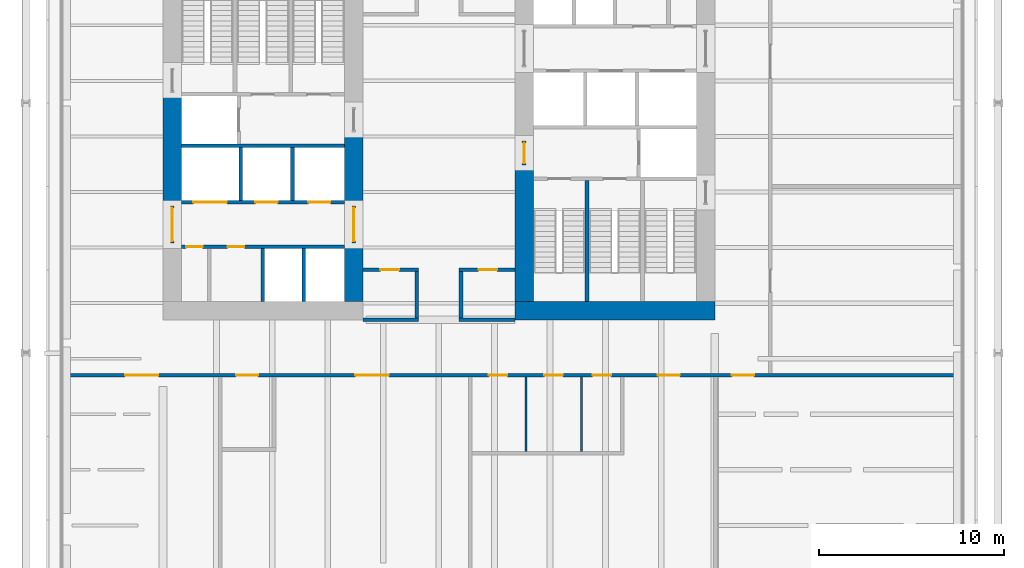
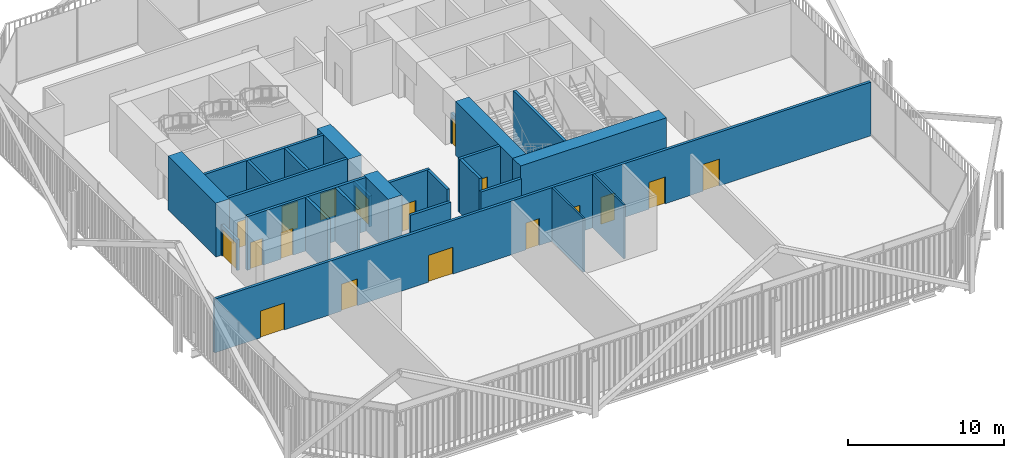
# One storey, part 17 of 21: 25 walls, 18 doors, 18 openings.
"""IFC4 building model written with IfcOpenShell, lengths in metres."""

import ifcopenshell
import ifcopenshell.guid

model = None  # the IFC model being written
_history = None  # IfcOwnerHistory: only IFC2X3 demands one
_inside = {}  # id of a spatial element -> (the spatial element, [elements in it])
_under = {}  # id of a project, library or spatial element -> (it, [spatial elements below it])
_declared = {}  # id of a project -> (the project, [libraries it declares])
_typed = {}  # id of a type object -> (the type object, [elements of that type])
_made_of = {}  # id of a material, layer set ... -> (it, [elements and type objects made of it])


def new_model(schema):
    """Start an empty IFC model of exactly this schema.

    Asked for "IFC4X3", IfcOpenShell would pick the latest addendum, in which some entities
    have other attributes; the version numbers below select the first issue.
    IFC2X3 requires an IfcOwnerHistory on every rooted entity: one is made here for all.
    """
    global model, _history
    if schema == "IFC4X3":
        model = ifcopenshell.file(schema_version=(4, 3, 0, 0))
    else:
        model = ifcopenshell.file(schema=schema)
    _inside.clear()
    _under.clear()
    _declared.clear()
    _typed.clear()
    _made_of.clear()
    _history = None
    if model.schema == "IFC2X3":
        org = make("IfcOrganization", Name="unknown")
        user = make(
            "IfcPersonAndOrganization",
            ThePerson=make("IfcPerson", FamilyName="unknown"),
            TheOrganization=org,
        )
        app = make(
            "IfcApplication",
            ApplicationDeveloper=org,
            Version="unknown",
            ApplicationFullName="unknown",
            ApplicationIdentifier="unknown",
        )
        _history = make(
            "IfcOwnerHistory",
            OwningUser=user,
            OwningApplication=app,
            ChangeAction="ADDED",
            CreationDate=0,
        )
    return model


def make(cls, **values):
    """One entity of the class cls with the attributes given. An attribute that is None is left unset."""
    return model.create_entity(
        cls, **{name: value for name, value in values.items() if value is not None}
    )


def rooted(cls, **values):
    """An entity with a GlobalId (a new one), such as an element, a storey or a relation."""
    return make(cls, GlobalId=ifcopenshell.guid.new(), OwnerHistory=_history, **values)


def si_unit(unit_type, name, prefix=None):
    """IfcSIUnit, for example si_unit("LENGTHUNIT", "METRE", prefix="MILLI")."""
    return make("IfcSIUnit", UnitType=unit_type, Prefix=prefix, Name=name)


def assignment(units):
    """IfcUnitAssignment: the units of a project."""
    return None if units is None else make("IfcUnitAssignment", Units=units)


def point(xyz):
    """IfcCartesianPoint."""
    return None if xyz is None else make("IfcCartesianPoint", Coordinates=xyz)


def direction(xyz):
    """IfcDirection."""
    return None if xyz is None else make("IfcDirection", DirectionRatios=xyz)


def frame(location, z_axis=None, x_axis=None):
    """IfcAxis2Placement3D, a coordinate frame: its origin and axes. An axis left out is left unset."""
    return make(
        "IfcAxis2Placement3D",
        Location=point(location),
        Axis=direction(z_axis),
        RefDirection=direction(x_axis),
    )


def frame_2d(location, x_axis=None):
    """IfcAxis2Placement2D, a coordinate frame in the plane: its origin and x axis."""
    return make(
        "IfcAxis2Placement2D", Location=point(location), RefDirection=direction(x_axis)
    )


def origin():
    """The frame at (0, 0, 0) with its axes left unset."""
    return frame((0.0, 0.0, 0.0))


def place(relative_to, where):
    """IfcLocalPlacement: puts the frame where relative to a parent placement (None: the world)."""
    return make(
        "IfcLocalPlacement", PlacementRelTo=relative_to, RelativePlacement=where
    )


def context(
    kind, dimensions, precision=None, world=None, true_north=None, identifier=None
):
    """IfcGeometricRepresentationContext, for example the 3D "Model" context."""
    return make(
        "IfcGeometricRepresentationContext",
        ContextIdentifier=identifier,
        ContextType=kind,
        CoordinateSpaceDimension=dimensions,
        Precision=precision,
        WorldCoordinateSystem=world,
        TrueNorth=true_north,
    )


def subcontext(parent, identifier, kind, view, scale=None):
    """IfcGeometricRepresentationSubContext, for example "Body" below "Model"."""
    return make(
        "IfcGeometricRepresentationSubContext",
        ContextIdentifier=identifier,
        ContextType=kind,
        ParentContext=parent,
        TargetScale=scale,
        TargetView=view,
    )


def project(units=None, contexts=None):
    """IfcProject with its units and contexts."""
    return rooted(
        "IfcProject",
        Name="project",
        RepresentationContexts=contexts,
        UnitsInContext=assignment(units),
    )


def spatial(cls, under=None, at=None, **own):
    """A site, building, storey or space (cls), placed at a placement, below another one or the project."""
    s = rooted(cls, ObjectPlacement=at, **own)
    if under is not None:
        _under.setdefault(under.id(), (under, []))[1].append(s)
    return s


def profile(cls, at=None, kind="AREA", **sizes):
    """A parametric profile (cls). Its sizes go by their IFC names, for example OverallWidth=200.0."""
    return make(cls, ProfileType=kind, Position=at, **sizes)


def rectangle(**sizes):
    """IfcRectangleProfileDef."""
    return profile("IfcRectangleProfileDef", **sizes)


def extrude(swept, where, along, depth):
    """IfcExtrudedAreaSolid: the profile swept, set in the frame where, extruded along a direction by depth."""
    return make(
        "IfcExtrudedAreaSolid",
        SweptArea=swept,
        Position=where,
        ExtrudedDirection=direction(along),
        Depth=depth,
    )


def shape(context_of_items, identifier, shape_type, items):
    """IfcShapeRepresentation: the items that make up one representation, for example the "Body"."""
    return make(
        "IfcShapeRepresentation",
        ContextOfItems=context_of_items,
        RepresentationIdentifier=identifier,
        RepresentationType=shape_type,
        Items=items,
    )


def material(Name=None, Category=None):
    """IfcMaterial."""
    return make("IfcMaterial", Name=Name, Category=Category)


def layer(
    of_material, thickness, ventilated=None, Name=None, Category=None, Priority=None
):
    """IfcMaterialLayer: one layer of a wall or slab, of a material (None: an air gap)."""
    return make(
        "IfcMaterialLayer",
        Material=of_material,
        LayerThickness=thickness,
        IsVentilated=ventilated,
        Name=Name,
        Category=Category,
        Priority=Priority,
    )


def layer_set(layers, Name=None):
    """IfcMaterialLayerSet."""
    return make("IfcMaterialLayerSet", MaterialLayers=layers, LayerSetName=Name)


def made_of(thing, what):
    """Note that an element or type object is made of a material, layer set ...; save() writes the relation."""
    if what is not None:
        _made_of.setdefault(what.id(), (what, []))[1].append(thing)
    return thing


def type_object(cls, material=None, **own):
    """A type object (cls), such as IfcWallType, which elements share."""
    return made_of(rooted(cls, **own), material)


def element(
    cls,
    number,
    at=None,
    inside=None,
    cuts=None,
    type_object=None,
    material=None,
    context=None,
    identifier="Body",
    shape_type=None,
    held_by="IfcProductDefinitionShape",
    body=None,
    shapes=None,
    **own,
):
    """One element of the class cls, such as IfcWall. Its Tag is "e" and its number.

    at: its placement. inside: the storey or other place that contains it. cuts: it is an
    opening in that element (IfcRelVoidsElement). A single representation is given by context,
    identifier, shape_type and body (its items); several are given by shapes. held_by: the class
    of the entity that holds the representations. save() writes the other relations.
    """
    e = rooted(cls, Tag="e%d" % number, ObjectPlacement=at, **own)
    if body is not None:
        shapes = [shape(context, identifier, shape_type, body)]
    if shapes is not None:
        e.Representation = make(held_by, Representations=shapes)
    if inside is not None:
        _inside.setdefault(inside.id(), (inside, []))[1].append(e)
    if cuts is not None:
        rooted(
            "IfcRelVoidsElement", RelatingBuildingElement=cuts, RelatedOpeningElement=e
        )
    if type_object is not None:
        _typed.setdefault(type_object.id(), (type_object, []))[1].append(e)
    return made_of(e, material)


def fill(opening, filler):
    """IfcRelFillsElement: the door or window that sits in an opening."""
    return rooted(
        "IfcRelFillsElement",
        RelatingOpeningElement=opening,
        RelatedBuildingElement=filler,
    )


def aggregate(whole, parts):
    """IfcRelAggregates: a whole, such as a stair, and the parts it consists of."""
    return rooted("IfcRelAggregates", RelatingObject=whole, RelatedObjects=parts)


def save(model, path):
    """Write the relations noted so far, then the file.

    IfcRelAggregates (storeys below a building ...), IfcRelContainedInSpatialStructure (elements
    in a storey), IfcRelDefinesByType, IfcRelAssociatesMaterial and IfcRelDeclares: one each for
    every whole, place, type object, material and project.
    """
    for whole, parts in _under.values():
        aggregate(whole, parts)
    for where, things in _inside.values():
        rooted(
            "IfcRelContainedInSpatialStructure",
            RelatedElements=things,
            RelatingStructure=where,
        )
    for kind, things in _typed.values():
        rooted("IfcRelDefinesByType", RelatedObjects=things, RelatingType=kind)
    for what, things in _made_of.values():
        rooted("IfcRelAssociatesMaterial", RelatedObjects=things, RelatingMaterial=what)
    for by, libraries in _declared.values():
        rooted("IfcRelDeclares", RelatingContext=by, RelatedDefinitions=libraries)
    model.write(path)


model = new_model("IFC4")

# Units and contexts
model_context = context("Model", 3, precision=1e-05, world=origin(), true_north=direction((0.0, 1.0)))
body_context = subcontext(model_context, "Body", "Model", "MODEL_VIEW")
ifc_project = project(units=[si_unit("LENGTHUNIT", "METRE"), si_unit("AREAUNIT", "SQUARE_METRE"), si_unit("VOLUMEUNIT", "CUBIC_METRE"), si_unit("PLANEANGLEUNIT", "RADIAN"), si_unit("MASSUNIT", "GRAM", prefix="KILO")], contexts=[model_context])

# Site, building, storey
site_placement = place(None, origin())
site = spatial("IfcSite", under=ifc_project, at=site_placement, CompositionType="ELEMENT")
building_placement = place(site_placement, origin())
building = spatial("IfcBuilding", under=site, at=building_placement, Name="Millrace Tower", CompositionType="ELEMENT")
storey_placement = place(building_placement, frame((0.0, 0.0, 73.199951171875)))
storey = spatial("IfcBuildingStorey", under=building, at=storey_placement, Name="L16", CompositionType="ELEMENT", Elevation=73.199951171875)

# Walls
ifc_material_1 = material(Name="Concrete C80", Category="concrete")
ifc_layer_1 = layer(ifc_material_1, 1.0)
ifc_layer_set_1 = layer_set([ifc_layer_1], Name="Concrete C80")
wall_type_1 = type_object("IfcWallType", Name="Core wall 1000 Concrete C80", PredefinedType="SHEAR", material=ifc_layer_set_1)
wall_1_placement = place(storey_placement, frame((-14.39990234375, -3.75, 0.0), z_axis=(0.0, 0.0, 1.0), x_axis=(0.0, 1.0, 0.0)))
element("IfcWall", 1, at=wall_1_placement, inside=storey, type_object=wall_type_1, Name="Core wall W L16", PredefinedType="SHEAR", context=body_context, shape_type="SweptSolid", body=[
    extrude(rectangle(XDim=6.1298828125, YDim=1.0, at=frame_2d((3.06494140625, 0.0))), origin(), (0.0, 0.0, 1.0), 4.199951171875),
])
wall_2_placement = place(storey_placement, frame((-4.60009765625, -8.89990234375, 0.0), z_axis=(0.0, 0.0, 1.0), x_axis=(0.0, 1.0, 0.0)))
element("IfcWall", 2, at=wall_2_placement, inside=storey, type_object=wall_type_1, Name="Core wall W L16", PredefinedType="SHEAR", context=body_context, shape_type="SweptSolid", body=[
    extrude(rectangle(XDim=3.14990234375, YDim=1.0, at=frame_2d((1.574951171875, 0.0))), origin(), (0.0, 0.0, 1.0), 4.199951171875),
])
wall_3_placement = place(storey_placement, frame((-4.60009765625, -3.75, 0.0), z_axis=(0.0, 0.0, 1.0), x_axis=(0.0, 1.0, 0.0)))
element("IfcWall", 3, at=wall_3_placement, inside=storey, type_object=wall_type_1, Name="Core wall W L16", PredefinedType="SHEAR", context=body_context, shape_type="SweptSolid", body=[
    extrude(rectangle(XDim=4.0, YDim=1.0, at=frame_2d((2.0, 0.0))), origin(), (0.0, 0.0, 1.0), 4.199951171875),
])
wall_4_placement = place(storey_placement, frame((14.89990234375, -9.39990234375, 0.0), z_axis=(0.0, 0.0, 1.0), x_axis=(-1.0, 0.0, 0.0)))
element("IfcWall", 4, at=wall_4_placement, inside=storey, type_object=wall_type_1, Name="Core wall E L16", PredefinedType="SHEAR", context=body_context, shape_type="SweptSolid", body=[
    extrude(rectangle(XDim=10.7998046875, YDim=1.0, at=frame_2d((5.39990234375, 0.0))), origin(), (0.0, 0.0, 1.0), 4.199951171875),
])
wall_5_placement = place(storey_placement, frame((4.60009765625, -1.550048828125, 0.0), z_axis=(0.0, 0.0, 1.0), x_axis=(0.0, -1.0, 0.0)))
element("IfcWall", 5, at=wall_5_placement, inside=storey, type_object=wall_type_1, Name="Core wall E L16", PredefinedType="SHEAR", context=body_context, shape_type="SweptSolid", body=[
    extrude(rectangle(XDim=7.349853515625, YDim=1.0, at=frame_2d((3.6748046875, 0.0))), origin(), (0.0, 0.0, 1.0), 4.199951171875),
])

# Wall, openings, doors
ifc_material_2 = material(Name="Masonry partition, fire-rated", Category="masonry")
ifc_layer_2 = layer(ifc_material_2, 0.199951171875)
ifc_layer_set_2 = layer_set([ifc_layer_2], Name="Masonry partition, fire-rated")
wall_type_2 = type_object("IfcWallType", Name="Corridor wall 200", PredefinedType="PARTITIONING", material=ifc_layer_set_2)
wall_6_placement = place(storey_placement, frame((-20.330078125, -12.89990234375, 0.0), z_axis=(0.0, 0.0, 1.0), x_axis=(1.0, 0.0, 0.0)))
wall_6 = element("IfcWall", 6, at=wall_6_placement, inside=storey, type_object=wall_type_2, Name="Corridor wall L16", PredefinedType="PARTITIONING", context=body_context, shape_type="SweptSolid", body=[
    extrude(rectangle(XDim=48.56005859375, YDim=0.199951171875, at=frame_2d((24.280029296875, 0.0))), origin(), (0.0, 0.0, 1.0), 4.199951171875),
])
opening_1_placement = place(wall_6_placement, frame((3.389892578125, 0.0, 0.0)))
opening_1 = element("IfcOpeningElement", 7, at=opening_1_placement, cuts=wall_6, Name="Opening 16-P005", PredefinedType="OPENING", context=body_context, shape_type="SweptSolid", body=[
    extrude(rectangle(XDim=1.800048828125, YDim=2.10009765625, at=frame_2d((0.89990234375, 1.050048828125))), frame((0.0, 0.10986328125, 0.0), z_axis=(0.0, -1.0, 0.0), x_axis=(1.0, 0.0, 0.0)), (0.0, 0.0, 1.0), 0.219970703125),
])
opening_2_placement = place(wall_6_placement, frame((15.830078125, 0.0, 0.0)))
opening_2 = element("IfcOpeningElement", 8, at=opening_2_placement, cuts=wall_6, Name="Opening 16-P006", PredefinedType="OPENING", context=body_context, shape_type="SweptSolid", body=[
    extrude(rectangle(XDim=1.800048828125, YDim=2.10009765625, at=frame_2d((0.89990234375, 1.050048828125))), frame((0.0, 0.10986328125, 0.0), z_axis=(0.0, -1.0, 0.0), x_axis=(1.0, 0.0, 0.0)), (0.0, 0.0, 1.0), 0.219970703125),
])
opening_3_placement = place(wall_6_placement, frame((9.3798828125, 0.0, 0.0)))
opening_3 = element("IfcOpeningElement", 9, at=opening_3_placement, cuts=wall_6, Name="Opening 16-P007", PredefinedType="OPENING", context=body_context, shape_type="SweptSolid", body=[
    extrude(rectangle(XDim=1.199951171875, YDim=2.10009765625, at=frame_2d((0.60009765625, 1.050048828125))), frame((0.0, 0.10986328125, 0.0), z_axis=(0.0, -1.0, 0.0), x_axis=(1.0, 0.0, 0.0)), (0.0, 0.0, 1.0), 0.219970703125),
])
opening_4_placement = place(wall_6_placement, frame((32.14990234375, 0.0, 0.0)))
opening_4 = element("IfcOpeningElement", 10, at=opening_4_placement, cuts=wall_6, Name="Opening 16-P008", PredefinedType="OPENING", context=body_context, shape_type="SweptSolid", body=[
    extrude(rectangle(XDim=1.199951171875, YDim=2.10009765625, at=frame_2d((0.60009765625, 1.050048828125))), frame((0.0, 0.10986328125, 0.0), z_axis=(0.0, -1.0, 0.0), x_axis=(1.0, 0.0, 0.0)), (0.0, 0.0, 1.0), 0.219970703125),
])
opening_5_placement = place(wall_6_placement, frame((36.155029296875, 0.0, 0.0)))
opening_5 = element("IfcOpeningElement", 11, at=opening_5_placement, cuts=wall_6, Name="Opening 16-P009", PredefinedType="OPENING", context=body_context, shape_type="SweptSolid", body=[
    extrude(rectangle(XDim=1.199951171875, YDim=2.10009765625, at=frame_2d((0.60009765625, 1.050048828125))), frame((0.0, 0.10986328125, 0.0), z_axis=(0.0, -1.0, 0.0), x_axis=(1.0, 0.0, 0.0)), (0.0, 0.0, 1.0), 0.219970703125),
])
opening_6_placement = place(wall_6_placement, frame((23.030029296875, 0.0, 0.0)))
opening_6 = element("IfcOpeningElement", 12, at=opening_6_placement, cuts=wall_6, Name="Opening 16-P017", PredefinedType="OPENING", context=body_context, shape_type="SweptSolid", body=[
    extrude(rectangle(XDim=1.0, YDim=2.10009765625, at=frame_2d((0.5, 1.050048828125))), frame((0.0, 0.10986328125, 0.0), z_axis=(0.0, -1.0, 0.0), x_axis=(1.0, 0.0, 0.0)), (0.0, 0.0, 1.0), 0.219970703125),
])
opening_7_placement = place(wall_6_placement, frame((26.030029296875, 0.0, 0.0)))
opening_7 = element("IfcOpeningElement", 13, at=opening_7_placement, cuts=wall_6, Name="Opening 16-P018", PredefinedType="OPENING", context=body_context, shape_type="SweptSolid", body=[
    extrude(rectangle(XDim=1.0, YDim=2.10009765625, at=frame_2d((0.5, 1.050048828125))), frame((0.0, 0.10986328125, 0.0), z_axis=(0.0, -1.0, 0.0), x_axis=(1.0, 0.0, 0.0)), (0.0, 0.0, 1.0), 0.219970703125),
])
opening_8_placement = place(wall_6_placement, frame((28.6298828125, 0.0, 0.0)))
opening_8 = element("IfcOpeningElement", 14, at=opening_8_placement, cuts=wall_6, Name="Opening 16-P019", PredefinedType="OPENING", context=body_context, shape_type="SweptSolid", body=[
    extrude(rectangle(XDim=1.0, YDim=2.10009765625, at=frame_2d((0.5, 1.050048828125))), frame((0.0, 0.10986328125, 0.0), z_axis=(0.0, -1.0, 0.0), x_axis=(1.0, 0.0, 0.0)), (0.0, 0.0, 1.0), 0.219970703125),
])
ifc_material_3 = material(Name="Steel door set, fire-rated", Category="steel")
door_type_1 = type_object("IfcDoorType", Name="Corridor door 1000 x 2100", OperationType="SINGLE_SWING_LEFT", PredefinedType="DOOR", material=ifc_material_3)
door_1_placement = place(opening_6_placement, frame((1.0, 0.0, 0.0), z_axis=(0.0, 0.0, 1.0), x_axis=(-1.0, 0.0, 0.0)))
door_1 = element("IfcDoor", 15, at=door_1_placement, inside=storey, type_object=door_type_1, Name="Door 16-P017", OperationType="SINGLE_SWING_RIGHT", OverallHeight=2.10009765625, OverallWidth=1.0, PredefinedType="DOOR", context=body_context, shape_type="SweptSolid", body=[
    extrude(rectangle(XDim=1.0, YDim=2.10009765625, at=frame_2d((0.5, 1.050048828125))), frame((0.0, 0.02490234375, 0.0), z_axis=(0.0, -1.0, 0.0), x_axis=(1.0, 0.0, 0.0)), (0.0, 0.0, 1.0), 0.050048828125),
])
fill(opening_6, door_1)
door_2_placement = place(opening_7_placement, frame((1.0, 0.0, 0.0), z_axis=(0.0, 0.0, 1.0), x_axis=(-1.0, 0.0, 0.0)))
door_2 = element("IfcDoor", 16, at=door_2_placement, inside=storey, type_object=door_type_1, Name="Door 16-P018", OperationType="SINGLE_SWING_LEFT", OverallHeight=2.10009765625, OverallWidth=1.0, PredefinedType="DOOR", context=body_context, shape_type="SweptSolid", body=[
    extrude(rectangle(XDim=1.0, YDim=2.10009765625, at=frame_2d((0.5, 1.050048828125))), frame((0.0, 0.02490234375, 0.0), z_axis=(0.0, -1.0, 0.0), x_axis=(1.0, 0.0, 0.0)), (0.0, 0.0, 1.0), 0.050048828125),
])
fill(opening_7, door_2)
door_3_placement = place(opening_8_placement, frame((1.0, 0.0, 0.0), z_axis=(0.0, 0.0, 1.0), x_axis=(-1.0, 0.0, 0.0)))
door_3 = element("IfcDoor", 17, at=door_3_placement, inside=storey, type_object=door_type_1, Name="Door 16-P019", OperationType="SINGLE_SWING_LEFT", OverallHeight=2.10009765625, OverallWidth=1.0, PredefinedType="DOOR", context=body_context, shape_type="SweptSolid", body=[
    extrude(rectangle(XDim=1.0, YDim=2.10009765625, at=frame_2d((0.5, 1.050048828125))), frame((0.0, 0.02490234375, 0.0), z_axis=(0.0, -1.0, 0.0), x_axis=(1.0, 0.0, 0.0)), (0.0, 0.0, 1.0), 0.050048828125),
])
fill(opening_8, door_3)
ifc_material_4 = material(Name="Steel door set, fire-rated", Category="steel")
door_type_2 = type_object("IfcDoorType", Name="Corridor door 1200 x 2100", OperationType="SINGLE_SWING_LEFT", PredefinedType="DOOR", material=ifc_material_4)
door_4_placement = place(opening_3_placement, frame((1.199951171875, 0.0, 0.0), z_axis=(0.0, 0.0, 1.0), x_axis=(-1.0, 0.0, 0.0)))
door_4 = element("IfcDoor", 18, at=door_4_placement, inside=storey, type_object=door_type_2, Name="Door 16-P007", OperationType="SINGLE_SWING_RIGHT", OverallHeight=2.10009765625, OverallWidth=1.199951171875, PredefinedType="DOOR", context=body_context, shape_type="SweptSolid", body=[
    extrude(rectangle(XDim=1.199951171875, YDim=2.10009765625, at=frame_2d((0.60009765625, 1.050048828125))), frame((0.0, 0.02490234375, 0.0), z_axis=(0.0, -1.0, 0.0), x_axis=(1.0, 0.0, 0.0)), (0.0, 0.0, 1.0), 0.050048828125),
])
fill(opening_3, door_4)
ifc_material_5 = material(Name="Steel door set, fire-rated", Category="steel")
door_type_3 = type_object("IfcDoorType", Name="Data hall door 1200 x 2100", OperationType="SINGLE_SWING_LEFT", PredefinedType="DOOR", material=ifc_material_5)
door_5_placement = place(opening_4_placement, frame((1.199951171875, 0.0, 0.0), z_axis=(0.0, 0.0, 1.0), x_axis=(-1.0, 0.0, 0.0)))
door_5 = element("IfcDoor", 19, at=door_5_placement, inside=storey, type_object=door_type_3, Name="Door 16-P008", OperationType="SINGLE_SWING_LEFT", OverallHeight=2.10009765625, OverallWidth=1.199951171875, PredefinedType="DOOR", context=body_context, shape_type="SweptSolid", body=[
    extrude(rectangle(XDim=1.199951171875, YDim=2.10009765625, at=frame_2d((0.60009765625, 1.050048828125))), frame((0.0, 0.02490234375, 0.0), z_axis=(0.0, -1.0, 0.0), x_axis=(1.0, 0.0, 0.0)), (0.0, 0.0, 1.0), 0.050048828125),
])
fill(opening_4, door_5)
door_6_placement = place(opening_5_placement, frame((1.199951171875, 0.0, 0.0), z_axis=(0.0, 0.0, 1.0), x_axis=(-1.0, 0.0, 0.0)))
door_6 = element("IfcDoor", 20, at=door_6_placement, inside=storey, type_object=door_type_3, Name="Door 16-P009", OperationType="SINGLE_SWING_LEFT", OverallHeight=2.10009765625, OverallWidth=1.199951171875, PredefinedType="DOOR", context=body_context, shape_type="SweptSolid", body=[
    extrude(rectangle(XDim=1.199951171875, YDim=2.10009765625, at=frame_2d((0.60009765625, 1.050048828125))), frame((0.0, 0.02490234375, 0.0), z_axis=(0.0, -1.0, 0.0), x_axis=(1.0, 0.0, 0.0)), (0.0, 0.0, 1.0), 0.050048828125),
])
fill(opening_5, door_6)
ifc_material_6 = material(Name="Steel door set, fire-rated", Category="steel")
door_type_4 = type_object("IfcDoorType", Name="Data hall door 1800 x 2100", OperationType="DOUBLE_DOOR_SINGLE_SWING", PredefinedType="DOOR", material=ifc_material_6)
door_7_placement = place(opening_1_placement, frame((1.800048828125, 0.0, 0.0), z_axis=(0.0, 0.0, 1.0), x_axis=(-1.0, 0.0, 0.0)))
door_7 = element("IfcDoor", 21, at=door_7_placement, inside=storey, type_object=door_type_4, Name="Door 16-P005", OperationType="DOUBLE_DOOR_SINGLE_SWING", OverallHeight=2.10009765625, OverallWidth=1.800048828125, PredefinedType="DOOR", context=body_context, shape_type="SweptSolid", body=[
    extrude(rectangle(XDim=1.800048828125, YDim=2.10009765625, at=frame_2d((0.89990234375, 1.050048828125))), frame((0.0, 0.02490234375, 0.0), z_axis=(0.0, -1.0, 0.0), x_axis=(1.0, 0.0, 0.0)), (0.0, 0.0, 1.0), 0.050048828125),
])
fill(opening_1, door_7)
door_8_placement = place(opening_2_placement, frame((1.800048828125, 0.0, 0.0), z_axis=(0.0, 0.0, 1.0), x_axis=(-1.0, 0.0, 0.0)))
door_8 = element("IfcDoor", 22, at=door_8_placement, inside=storey, type_object=door_type_4, Name="Door 16-P006", OperationType="DOUBLE_DOOR_SINGLE_SWING", OverallHeight=2.10009765625, OverallWidth=1.800048828125, PredefinedType="DOOR", context=body_context, shape_type="SweptSolid", body=[
    extrude(rectangle(XDim=1.800048828125, YDim=2.10009765625, at=frame_2d((0.89990234375, 1.050048828125))), frame((0.0, 0.02490234375, 0.0), z_axis=(0.0, -1.0, 0.0), x_axis=(1.0, 0.0, 0.0)), (0.0, 0.0, 1.0), 0.050048828125),
])
fill(opening_2, door_8)

# Walls
for number, where, z_axis, x_axis, name in (
    (23, (-4.10009765625, -9.89990234375, 0.0), (0.0, 0.0, 1.0), (1.0, 0.0, 0.0), "Corridor wall L16"),
    (24, (1.10009765625, -9.89990234375, 0.0), (0.0, 0.0, 1.0), (1.0, 0.0, 0.0), "Corridor wall L16"),
):
    element("IfcWall", number, at=place(storey_placement, frame(where, z_axis=z_axis, x_axis=x_axis)), inside=storey, type_object=wall_type_2, Name=name, PredefinedType="PARTITIONING", context=body_context, shape_type="SweptSolid", body=[
        extrude(rectangle(XDim=3.0, YDim=0.199951171875, at=frame_2d((1.5, 0.0))), origin(), (0.0, 0.0, 1.0), 3.2626953125),
    ])

# Wall, opening, door
wall_7_placement = place(storey_placement, frame((-4.10009765625, -7.199951171875, 0.0), z_axis=(0.0, 0.0, 1.0), x_axis=(1.0, 0.0, 0.0)))
wall_7 = element("IfcWall", 25, at=wall_7_placement, inside=storey, type_object=wall_type_2, Name="Corridor wall L16", PredefinedType="PARTITIONING", context=body_context, shape_type="SweptSolid", body=[
    extrude(rectangle(XDim=3.0, YDim=0.199951171875, at=frame_2d((1.5, 0.0))), origin(), (0.0, 0.0, 1.0), 4.199951171875),
])
opening_9_placement = place(wall_7_placement, frame((0.949951171875, 0.0, 0.0)))
opening_9 = element("IfcOpeningElement", 26, at=opening_9_placement, cuts=wall_7, Name="Opening 16-P003", PredefinedType="OPENING", context=body_context, shape_type="SweptSolid", body=[
    extrude(rectangle(XDim=1.0, YDim=2.10009765625, at=frame_2d((0.5, 1.050048828125))), frame((0.0, 0.10986328125, 0.0), z_axis=(0.0, -1.0, 0.0), x_axis=(1.0, 0.0, 0.0)), (0.0, 0.0, 1.0), 0.219970703125),
])
door_9_placement = place(opening_9_placement, frame((1.0, 0.0, 0.0), z_axis=(0.0, 0.0, 1.0), x_axis=(-1.0, 0.0, 0.0)))
door_9 = element("IfcDoor", 27, at=door_9_placement, inside=storey, type_object=door_type_1, Name="Door 16-P003", OperationType="SINGLE_SWING_LEFT", OverallHeight=2.10009765625, OverallWidth=1.0, PredefinedType="DOOR", context=body_context, shape_type="SweptSolid", body=[
    extrude(rectangle(XDim=1.0, YDim=2.10009765625, at=frame_2d((0.5, 1.050048828125))), frame((0.0, 0.02490234375, 0.0), z_axis=(0.0, -1.0, 0.0), x_axis=(1.0, 0.0, 0.0)), (0.0, 0.0, 1.0), 0.050048828125),
])
fill(opening_9, door_9)

wall_8_placement = place(storey_placement, frame((1.10009765625, -7.199951171875, 0.0), z_axis=(0.0, 0.0, 1.0), x_axis=(1.0, 0.0, 0.0)))
wall_8 = element("IfcWall", 28, at=wall_8_placement, inside=storey, type_object=wall_type_2, Name="Corridor wall L16", PredefinedType="PARTITIONING", context=body_context, shape_type="SweptSolid", body=[
    extrude(rectangle(XDim=3.0, YDim=0.199951171875, at=frame_2d((1.5, 0.0))), origin(), (0.0, 0.0, 1.0), 4.199951171875),
])
opening_10_placement = place(wall_8_placement, frame((1.050048828125, 0.0, 0.0)))
opening_10 = element("IfcOpeningElement", 29, at=opening_10_placement, cuts=wall_8, Name="Opening 16-P004", PredefinedType="OPENING", context=body_context, shape_type="SweptSolid", body=[
    extrude(rectangle(XDim=1.0, YDim=2.10009765625, at=frame_2d((0.5, 1.050048828125))), frame((0.0, 0.10986328125, 0.0), z_axis=(0.0, -1.0, 0.0), x_axis=(1.0, 0.0, 0.0)), (0.0, 0.0, 1.0), 0.219970703125),
])
door_10_placement = place(opening_10_placement, frame((1.0, 0.0, 0.0), z_axis=(0.0, 0.0, 1.0), x_axis=(-1.0, 0.0, 0.0)))
door_10 = element("IfcDoor", 30, at=door_10_placement, inside=storey, type_object=door_type_1, Name="Door 16-P004", OperationType="SINGLE_SWING_LEFT", OverallHeight=2.10009765625, OverallWidth=1.0, PredefinedType="DOOR", context=body_context, shape_type="SweptSolid", body=[
    extrude(rectangle(XDim=1.0, YDim=2.10009765625, at=frame_2d((0.5, 1.050048828125))), frame((0.0, 0.02490234375, 0.0), z_axis=(0.0, -1.0, 0.0), x_axis=(1.0, 0.0, 0.0)), (0.0, 0.0, 1.0), 0.050048828125),
])
fill(opening_10, door_10)

# Walls
for number, where, z_axis, x_axis, name in (
    (31, (1.199951171875, -9.800048828125, 0.0), (0.0, 0.0, 1.0), (0.0, 1.0, 0.0), "Corridor wall L16"),
    (32, (-1.199951171875, -9.800048828125, 0.0), (0.0, 0.0, 1.0), (0.0, 1.0, 0.0), "Corridor wall L16"),
):
    element("IfcWall", number, at=place(storey_placement, frame(where, z_axis=z_axis, x_axis=x_axis)), inside=storey, type_object=wall_type_2, Name=name, PredefinedType="PARTITIONING", context=body_context, shape_type="SweptSolid", body=[
        extrude(rectangle(XDim=2.5, YDim=0.199951171875, at=frame_2d((1.25, 0.0))), origin(), (0.0, 0.0, 1.0), 4.199951171875),
    ])

# Wall, openings, doors
ifc_material_7 = material(Name="Masonry partition, fire-rated", Category="masonry")
ifc_layer_3 = layer(ifc_material_7, 0.199951171875)
ifc_layer_set_3 = layer_set([ifc_layer_3], Name="Masonry partition, fire-rated")
wall_type_3 = type_object("IfcWallType", Name="Lift shaft wall 200", PredefinedType="PARTITIONING", material=ifc_layer_set_3)
wall_9_placement = place(storey_placement, frame((-13.89990234375, -5.949951171875, 0.0), z_axis=(0.0, 0.0, 1.0), x_axis=(1.0, 0.0, 0.0)))
wall_9 = element("IfcWall", 33, at=wall_9_placement, inside=storey, type_object=wall_type_3, Name="Lift shaft wall W L16", PredefinedType="PARTITIONING", context=body_context, shape_type="SweptSolid", body=[
    extrude(rectangle(XDim=8.7998046875, YDim=0.199951171875, at=frame_2d((4.39990234375, 0.0))), origin(), (0.0, 0.0, 1.0), 4.199951171875),
])
opening_11_placement = place(wall_9_placement, frame((0.25244140625, 0.0, 0.0)))
opening_11 = element("IfcOpeningElement", 34, at=opening_11_placement, cuts=wall_9, Name="Opening 16-C005", PredefinedType="OPENING", context=body_context, shape_type="SweptSolid", body=[
    extrude(rectangle(XDim=0.89990234375, YDim=2.10009765625, at=frame_2d((0.449951171875, 1.050048828125))), frame((0.0, 0.10986328125, 0.0), z_axis=(0.0, -1.0, 0.0), x_axis=(1.0, 0.0, 0.0)), (0.0, 0.0, 1.0), 0.219970703125),
])
opening_12_placement = place(wall_9_placement, frame((2.50244140625, 0.0, 0.0)))
opening_12 = element("IfcOpeningElement", 35, at=opening_12_placement, cuts=wall_9, Name="Opening 16-C006", PredefinedType="OPENING", context=body_context, shape_type="SweptSolid", body=[
    extrude(rectangle(XDim=0.89990234375, YDim=2.10009765625, at=frame_2d((0.449951171875, 1.050048828125))), frame((0.0, 0.10986328125, 0.0), z_axis=(0.0, -1.0, 0.0), x_axis=(1.0, 0.0, 0.0)), (0.0, 0.0, 1.0), 0.219970703125),
])
ifc_material_8 = material(Name="Steel door, fire-rated", Category="steel")
door_type_5 = type_object("IfcDoorType", Name="Service room door 900 x 2100", OperationType="SINGLE_SWING_LEFT", PredefinedType="DOOR", material=ifc_material_8)
door_11_placement = place(opening_11_placement, frame((0.89990234375, 0.0, 0.0), z_axis=(0.0, 0.0, 1.0), x_axis=(-1.0, 0.0, 0.0)))
door_11 = element("IfcDoor", 36, at=door_11_placement, inside=storey, type_object=door_type_5, Name="Service room door 16-C005", OperationType="SINGLE_SWING_RIGHT", OverallHeight=2.10009765625, OverallWidth=0.89990234375, PredefinedType="DOOR", context=body_context, shape_type="SweptSolid", body=[
    extrude(rectangle(XDim=0.89990234375, YDim=2.10009765625, at=frame_2d((0.449951171875, 1.050048828125))), frame((0.0, 0.02490234375, 0.0), z_axis=(0.0, -1.0, 0.0), x_axis=(1.0, 0.0, 0.0)), (0.0, 0.0, 1.0), 0.050048828125),
])
fill(opening_11, door_11)
door_12_placement = place(opening_12_placement, frame((0.89990234375, 0.0, 0.0), z_axis=(0.0, 0.0, 1.0), x_axis=(-1.0, 0.0, 0.0)))
door_12 = element("IfcDoor", 37, at=door_12_placement, inside=storey, type_object=door_type_5, Name="Service room door 16-C006", OperationType="SINGLE_SWING_RIGHT", OverallHeight=2.10009765625, OverallWidth=0.89990234375, PredefinedType="DOOR", context=body_context, shape_type="SweptSolid", body=[
    extrude(rectangle(XDim=0.89990234375, YDim=2.10009765625, at=frame_2d((0.449951171875, 1.050048828125))), frame((0.0, 0.02490234375, 0.0), z_axis=(0.0, -1.0, 0.0), x_axis=(1.0, 0.0, 0.0)), (0.0, 0.0, 1.0), 0.050048828125),
])
fill(opening_12, door_12)

wall_10_placement = place(storey_placement, frame((-13.89990234375, -3.550048828125, 0.0), z_axis=(0.0, 0.0, 1.0), x_axis=(1.0, 0.0, 0.0)))
wall_10 = element("IfcWall", 38, at=wall_10_placement, inside=storey, type_object=wall_type_3, Name="Lift shaft wall W L16", PredefinedType="PARTITIONING", context=body_context, shape_type="SweptSolid", body=[
    extrude(rectangle(XDim=8.7998046875, YDim=0.199951171875, at=frame_2d((4.39990234375, 0.0))), origin(), (0.0, 0.0, 1.0), 4.199951171875),
])
opening_13_placement = place(wall_10_placement, frame((0.64990234375, 0.0, 0.0)))
opening_13 = element("IfcOpeningElement", 39, at=opening_13_placement, cuts=wall_10, Name="Opening 16-LD05", PredefinedType="OPENING", context=body_context, shape_type="SweptSolid", body=[
    extrude(rectangle(XDim=1.800048828125, YDim=2.10009765625, at=frame_2d((0.89990234375, 1.050048828125))), frame((0.0, 0.10986328125, 0.0), z_axis=(0.0, -1.0, 0.0), x_axis=(1.0, 0.0, 0.0)), (0.0, 0.0, 1.0), 0.219970703125),
])
opening_14_placement = place(wall_10_placement, frame((4.0, 0.0, 0.0)))
opening_14 = element("IfcOpeningElement", 40, at=opening_14_placement, cuts=wall_10, Name="Opening 16-LD06", PredefinedType="OPENING", context=body_context, shape_type="SweptSolid", body=[
    extrude(rectangle(XDim=1.199951171875, YDim=2.10009765625, at=frame_2d((0.60009765625, 1.050048828125))), frame((0.0, 0.10986328125, 0.0), z_axis=(0.0, -1.0, 0.0), x_axis=(1.0, 0.0, 0.0)), (0.0, 0.0, 1.0), 0.219970703125),
])
opening_15_placement = place(wall_10_placement, frame((6.85009765625, 0.0, 0.0)))
opening_15 = element("IfcOpeningElement", 41, at=opening_15_placement, cuts=wall_10, Name="Opening 16-LD07", PredefinedType="OPENING", context=body_context, shape_type="SweptSolid", body=[
    extrude(rectangle(XDim=1.199951171875, YDim=2.10009765625, at=frame_2d((0.60009765625, 1.050048828125))), frame((0.0, 0.10986328125, 0.0), z_axis=(0.0, -1.0, 0.0), x_axis=(1.0, 0.0, 0.0)), (0.0, 0.0, 1.0), 0.219970703125),
])
ifc_material_9 = material(Name="Stainless steel, fire-rated", Category="steel")
door_type_6 = type_object("IfcDoorType", Name="Lift landing door 1200 x 2100", OperationType="DOUBLE_DOOR_SLIDING", PredefinedType="DOOR", material=ifc_material_9)
door_13_placement = place(opening_14_placement, origin())
door_13 = element("IfcDoor", 42, at=door_13_placement, inside=storey, type_object=door_type_6, Name="Lift landing door LF6 L16", OperationType="DOUBLE_DOOR_SLIDING", OverallHeight=2.10009765625, OverallWidth=1.199951171875, PredefinedType="DOOR", context=body_context, shape_type="SweptSolid", body=[
    extrude(rectangle(XDim=1.199951171875, YDim=2.10009765625, at=frame_2d((0.60009765625, 1.050048828125))), frame((0.0, 0.02490234375, 0.0), z_axis=(0.0, -1.0, 0.0), x_axis=(1.0, 0.0, 0.0)), (0.0, 0.0, 1.0), 0.050048828125),
])
fill(opening_14, door_13)
door_14_placement = place(opening_15_placement, origin())
door_14 = element("IfcDoor", 43, at=door_14_placement, inside=storey, type_object=door_type_6, Name="Lift landing door LF7 L16", OperationType="DOUBLE_DOOR_SLIDING", OverallHeight=2.10009765625, OverallWidth=1.199951171875, PredefinedType="DOOR", context=body_context, shape_type="SweptSolid", body=[
    extrude(rectangle(XDim=1.199951171875, YDim=2.10009765625, at=frame_2d((0.60009765625, 1.050048828125))), frame((0.0, 0.02490234375, 0.0), z_axis=(0.0, -1.0, 0.0), x_axis=(1.0, 0.0, 0.0)), (0.0, 0.0, 1.0), 0.050048828125),
])
fill(opening_15, door_14)
ifc_material_10 = material(Name="Stainless steel, fire-rated", Category="steel")
door_type_7 = type_object("IfcDoorType", Name="Lift landing door 1800 x 2100", OperationType="DOUBLE_DOOR_SLIDING", PredefinedType="DOOR", material=ifc_material_10)
door_15_placement = place(opening_13_placement, origin())
door_15 = element("IfcDoor", 44, at=door_15_placement, inside=storey, type_object=door_type_7, Name="Lift landing door LF5 L16", OperationType="DOUBLE_DOOR_SLIDING", OverallHeight=2.10009765625, OverallWidth=1.800048828125, PredefinedType="DOOR", context=body_context, shape_type="SweptSolid", body=[
    extrude(rectangle(XDim=1.800048828125, YDim=2.10009765625, at=frame_2d((0.89990234375, 1.050048828125))), frame((0.0, 0.02490234375, 0.0), z_axis=(0.0, -1.0, 0.0), x_axis=(1.0, 0.0, 0.0)), (0.0, 0.0, 1.0), 0.050048828125),
])
fill(opening_13, door_15)

# Walls
wall_11_placement = place(storey_placement, frame((-13.89990234375, -0.5, 0.0), z_axis=(0.0, 0.0, 1.0), x_axis=(1.0, 0.0, 0.0)))
element("IfcWall", 45, at=wall_11_placement, inside=storey, type_object=wall_type_3, Name="Lift shaft wall W L16", PredefinedType="PARTITIONING", context=body_context, shape_type="SweptSolid", body=[
    extrude(rectangle(XDim=8.7998046875, YDim=0.199951171875, at=frame_2d((4.39990234375, 0.0))), origin(), (0.0, 0.0, 1.0), 4.199951171875),
])
for number, where, z_axis, x_axis, name in (
    (46, (-9.5, -8.89990234375, 0.0), (0.0, 0.0, 1.0), (0.0, 1.0, 0.0), "Lift shaft wall W L16"),
    (47, (-7.300048828125, -8.89990234375, 0.0), (0.0, 0.0, 1.0), (0.0, 1.0, 0.0), "Lift shaft wall W L16"),
    (48, (-10.699951171875, -3.449951171875, 0.0), (0.0, 0.0, 1.0), (0.0, 1.0, 0.0), "Lift shaft wall W L16"),
    (49, (-7.89990234375, -3.449951171875, 0.0), (0.0, 0.0, 1.0), (0.0, 1.0, 0.0), "Lift shaft wall W L16"),
):
    element("IfcWall", number, at=place(storey_placement, frame(where, z_axis=z_axis, x_axis=x_axis)), inside=storey, type_object=wall_type_3, Name=name, PredefinedType="PARTITIONING", context=body_context, shape_type="SweptSolid", body=[
        extrude(rectangle(XDim=2.849853515625, YDim=0.199951171875, at=frame_2d((1.4248046875, 0.0))), origin(), (0.0, 0.0, 1.0), 4.199951171875),
    ])

# Wall, opening, door
ifc_material_11 = material(Name="Masonry partition, fire-rated", Category="masonry")
ifc_layer_4 = layer(ifc_material_11, 0.199951171875)
ifc_layer_set_4 = layer_set([ifc_layer_4], Name="Masonry partition, fire-rated")
wall_type_4 = type_object("IfcWallType", Name="Lobby wall 200", PredefinedType="PARTITIONING", material=ifc_layer_set_4)
wall_12_placement = place(storey_placement, frame((-14.39990234375, -5.75, 0.0), z_axis=(0.0, 0.0, 1.0), x_axis=(0.0, 1.0, 0.0)))
wall_12 = element("IfcWall", 50, at=wall_12_placement, inside=storey, type_object=wall_type_4, Name="Lobby wall W L16", PredefinedType="PARTITIONING", context=body_context, shape_type="SweptSolid", body=[
    extrude(rectangle(XDim=2.0, YDim=0.199951171875, at=frame_2d((1.0, 0.0))), origin(), (0.0, 0.0, 1.0), 2.400146484375),
])
opening_16_placement = place(wall_12_placement, frame((0.10009765625, 0.0, 0.0)))
opening_16 = element("IfcOpeningElement", 51, at=opening_16_placement, cuts=wall_12, Name="Opening 16-C001", PredefinedType="OPENING", context=body_context, shape_type="SweptSolid", body=[
    extrude(rectangle(XDim=1.800048828125, YDim=2.10009765625, at=frame_2d((0.89990234375, 1.050048828125))), frame((0.0, 0.10986328125, 0.0), z_axis=(0.0, -1.0, 0.0), x_axis=(1.0, 0.0, 0.0)), (0.0, 0.0, 1.0), 0.219970703125),
])
ifc_material_12 = material(Name="Steel door, fire-rated", Category="steel")
door_type_8 = type_object("IfcDoorType", Name="Lobby door 1800 x 2100", OperationType="DOUBLE_DOOR_SINGLE_SWING", PredefinedType="DOOR", material=ifc_material_12)
door_16_placement = place(opening_16_placement, origin())
door_16 = element("IfcDoor", 52, at=door_16_placement, inside=storey, type_object=door_type_8, Name="Lobby door 16-C001", OperationType="DOUBLE_DOOR_SINGLE_SWING", OverallHeight=2.10009765625, OverallWidth=1.800048828125, PredefinedType="DOOR", context=body_context, shape_type="SweptSolid", body=[
    extrude(rectangle(XDim=1.800048828125, YDim=2.10009765625, at=frame_2d((0.89990234375, 1.050048828125))), frame((0.0, 0.02490234375, 0.0), z_axis=(0.0, -1.0, 0.0), x_axis=(1.0, 0.0, 0.0)), (0.0, 0.0, 1.0), 0.050048828125),
])
fill(opening_16, door_16)

wall_13_placement = place(storey_placement, frame((-4.60009765625, -5.75, 0.0), z_axis=(0.0, 0.0, 1.0), x_axis=(0.0, 1.0, 0.0)))
wall_13 = element("IfcWall", 53, at=wall_13_placement, inside=storey, type_object=wall_type_4, Name="Lobby wall W L16", PredefinedType="PARTITIONING", context=body_context, shape_type="SweptSolid", body=[
    extrude(rectangle(XDim=2.0, YDim=0.199951171875, at=frame_2d((1.0, 0.0))), origin(), (0.0, 0.0, 1.0), 2.400146484375),
])
opening_17_placement = place(wall_13_placement, frame((0.10009765625, 0.0, 0.0)))
opening_17 = element("IfcOpeningElement", 54, at=opening_17_placement, cuts=wall_13, Name="Opening 16-C003", PredefinedType="OPENING", context=body_context, shape_type="SweptSolid", body=[
    extrude(rectangle(XDim=1.800048828125, YDim=2.10009765625, at=frame_2d((0.89990234375, 1.050048828125))), frame((0.0, 0.10986328125, 0.0), z_axis=(0.0, -1.0, 0.0), x_axis=(1.0, 0.0, 0.0)), (0.0, 0.0, 1.0), 0.219970703125),
])
door_17_placement = place(opening_17_placement, origin())
door_17 = element("IfcDoor", 55, at=door_17_placement, inside=storey, type_object=door_type_8, Name="Lobby door 16-C003", OperationType="DOUBLE_DOOR_SINGLE_SWING", OverallHeight=2.10009765625, OverallWidth=1.800048828125, PredefinedType="DOOR", context=body_context, shape_type="SweptSolid", body=[
    extrude(rectangle(XDim=1.800048828125, YDim=2.10009765625, at=frame_2d((0.89990234375, 1.050048828125))), frame((0.0, 0.02490234375, 0.0), z_axis=(0.0, -1.0, 0.0), x_axis=(1.0, 0.0, 0.0)), (0.0, 0.0, 1.0), 0.050048828125),
])
fill(opening_17, door_17)

wall_14_placement = place(storey_placement, frame((4.60009765625, -0.25, 0.0), z_axis=(0.0, 0.0, 1.0), x_axis=(0.0, -1.0, 0.0)))
wall_14 = element("IfcWall", 56, at=wall_14_placement, inside=storey, type_object=wall_type_4, Name="Lobby wall E L16", PredefinedType="PARTITIONING", context=body_context, shape_type="SweptSolid", body=[
    extrude(rectangle(XDim=1.300048828125, YDim=0.199951171875, at=frame_2d((0.64990234375, 0.0))), origin(), (0.0, 0.0, 1.0), 2.400146484375),
])
opening_18_placement = place(wall_14_placement, frame((0.10009765625, 0.0, 0.0)))
opening_18 = element("IfcOpeningElement", 57, at=opening_18_placement, cuts=wall_14, Name="Opening 16-C012", PredefinedType="OPENING", context=body_context, shape_type="SweptSolid", body=[
    extrude(rectangle(XDim=1.10009765625, YDim=2.10009765625, at=frame_2d((0.550048828125, 1.050048828125))), frame((0.0, 0.10986328125, 0.0), z_axis=(0.0, -1.0, 0.0), x_axis=(1.0, 0.0, 0.0)), (0.0, 0.0, 1.0), 0.219970703125),
])
ifc_material_13 = material(Name="Steel door, fire-rated", Category="steel")
door_type_9 = type_object("IfcDoorType", Name="Lobby door 1100 x 2100", OperationType="SINGLE_SWING_LEFT", PredefinedType="DOOR", material=ifc_material_13)
door_18_placement = place(opening_18_placement, origin())
door_18 = element("IfcDoor", 58, at=door_18_placement, inside=storey, type_object=door_type_9, Name="Lobby door 16-C012", OperationType="SINGLE_SWING_LEFT", OverallHeight=2.10009765625, OverallWidth=1.10009765625, PredefinedType="DOOR", context=body_context, shape_type="SweptSolid", body=[
    extrude(rectangle(XDim=1.10009765625, YDim=2.10009765625, at=frame_2d((0.550048828125, 1.050048828125))), frame((0.0, 0.02490234375, 0.0), z_axis=(0.0, -1.0, 0.0), x_axis=(1.0, 0.0, 0.0)), (0.0, 0.0, 1.0), 0.050048828125),
])
fill(opening_18, door_18)

# Walls
ifc_material_14 = material(Name="Gypsum board partition")
ifc_layer_5 = layer(ifc_material_14, 0.1201171875)
ifc_layer_set_5 = layer_set([ifc_layer_5], Name="Gypsum board partition")
wall_type_5 = type_object("IfcWallType", Name="Partition wall 120", PredefinedType="PARTITIONING", material=ifc_layer_set_5)
for number, where, z_axis, x_axis, name in (
    (59, (7.699951171875, -17.0, 0.0), (0.0, 0.0, 1.0), (0.0, 1.0, 0.0), "Partition wall L16"),
    (60, (4.699951171875, -17.0, 0.0), (0.0, 0.0, 1.0), (0.0, 1.0, 0.0), "Partition wall L16"),
):
    element("IfcWall", number, at=place(storey_placement, frame(where, z_axis=z_axis, x_axis=x_axis)), inside=storey, type_object=wall_type_5, Name=name, PredefinedType="PARTITIONING", context=body_context, shape_type="SweptSolid", body=[
        extrude(rectangle(XDim=4.0, YDim=0.1201171875, at=frame_2d((2.0, 0.0))), origin(), (0.0, 0.0, 1.0), 4.199951171875),
    ])
ifc_material_15 = material(Name="Concrete C40", Category="concrete")
ifc_layer_6 = layer(ifc_material_15, 0.199951171875)
ifc_layer_set_6 = layer_set([ifc_layer_6], Name="Concrete C40")
wall_type_6 = type_object("IfcWallType", Name="Stair enclosure wall 200 Concrete C40", PredefinedType="SHEAR", material=ifc_layer_set_6)
wall_15_placement = place(storey_placement, frame((8.0, -2.3798828125, 0.0), z_axis=(0.0, 0.0, 1.0), x_axis=(0.0, -1.0, 0.0)))
element("IfcWall", 61, at=wall_15_placement, inside=storey, type_object=wall_type_6, Name="Stair enclosure wall E L16", PredefinedType="SHEAR", context=body_context, shape_type="SweptSolid", body=[
    extrude(rectangle(XDim=6.52001953125, YDim=0.199951171875, at=frame_2d((3.260009765625, 0.0))), origin(), (0.0, 0.0, 1.0), 4.199951171875),
])

save(model, "model.ifc")
